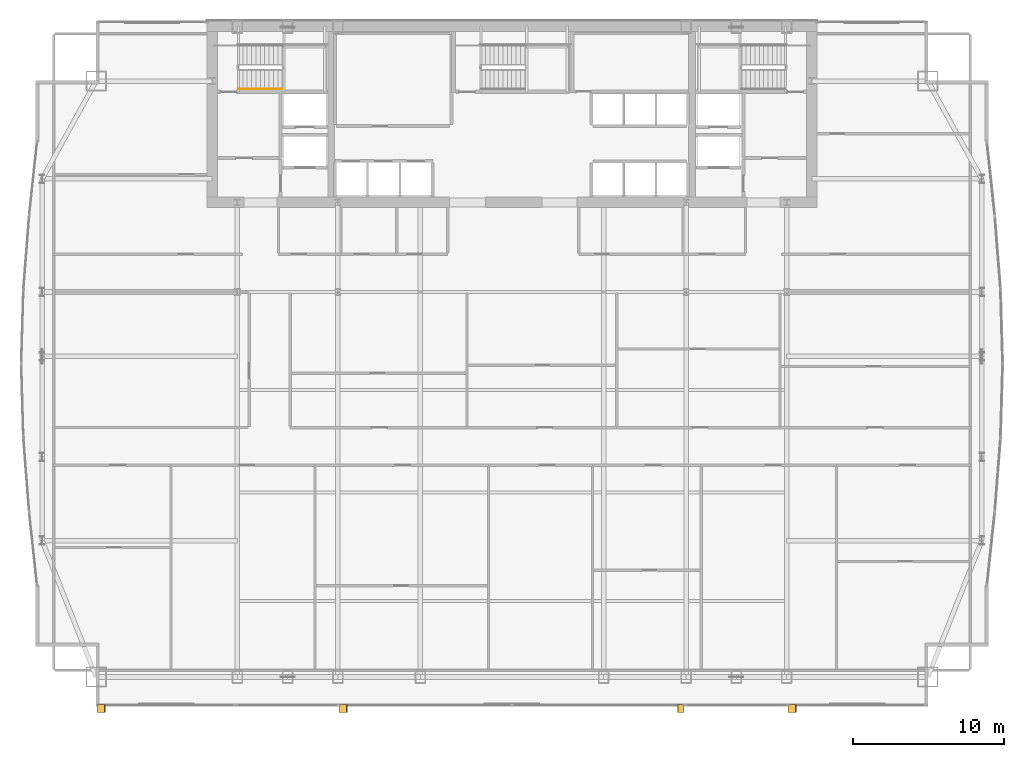
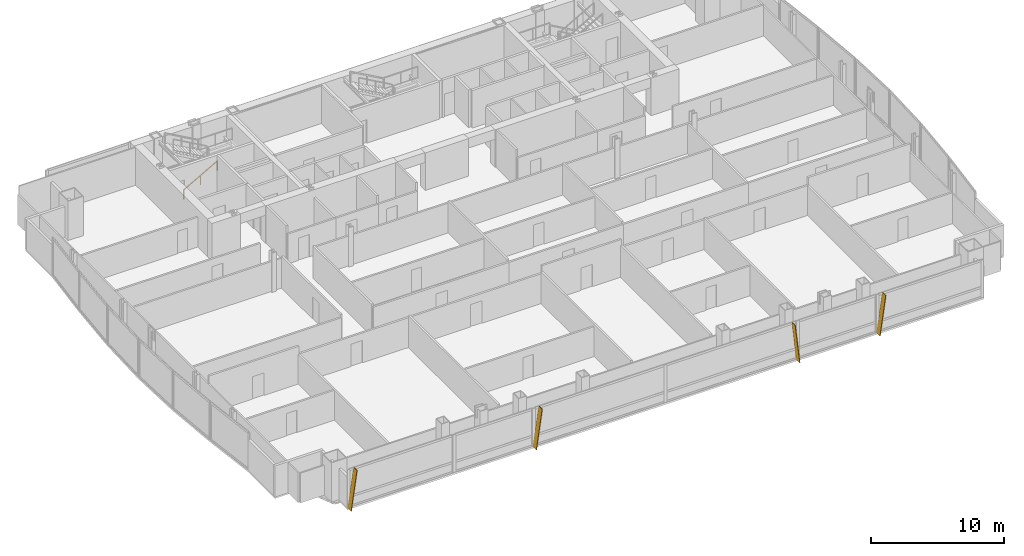
# One storey, part 28 of 29: 4 shading devices, 1 railing.
"""IFC4 building model written with IfcOpenShell, lengths in metres."""

from ifc_helpers import new_model, si_unit, direction, frame, origin, origin_2d, place, context, subcontext, project, spatial, polyline, rectangle, outline, extrude, material, layer, layer_set, type_object, element, save


model = new_model("IFC4")

# Units and contexts
model_context = context("Model", 3, precision=1e-05, world=origin(), true_north=direction((0.0, 1.0)))
body_context = subcontext(model_context, "Body", "Model", "MODEL_VIEW")
ifc_project = project(units=[si_unit("LENGTHUNIT", "METRE"), si_unit("AREAUNIT", "SQUARE_METRE"), si_unit("VOLUMEUNIT", "CUBIC_METRE"), si_unit("PLANEANGLEUNIT", "RADIAN"), si_unit("MASSUNIT", "GRAM", prefix="KILO")], contexts=[model_context])

# Site, building, storey
site_placement = place(None, origin())
site = spatial("IfcSite", under=ifc_project, at=site_placement, CompositionType="ELEMENT")
building_placement = place(site_placement, origin())
building = spatial("IfcBuilding", under=site, at=building_placement, Name="Khoronbel Lancet Exchange", CompositionType="ELEMENT")
storey_placement = place(building_placement, frame((0.0, 0.0, 143.39990234375)))
storey = spatial("IfcBuildingStorey", under=building, at=storey_placement, Name="L35", CompositionType="ELEMENT", Elevation=143.39990234375)

# Railing
ifc_material_1 = material(Name="Brushed Stainless Steel 316", Category="steel")
railing_type = type_object("IfcRailingType", Name="RL-STH92", PredefinedType="HANDRAIL", material=ifc_material_1)
railing_placement = place(storey_placement, frame((18.300048828125, 49.169921875, 0.163818359375)))
element("IfcRailing", 1, at=railing_placement, inside=storey, type_object=railing_type, Name="L35 ST1 stair handrail 1", PredefinedType="HANDRAIL", context=body_context, shape_type="SweptSolid", body=[
    extrude(rectangle(XDim=0.048095703125, YDim=0.048095703125, at=origin_2d()), frame((0.0, 0.0, 0.8759765625), z_axis=(0.870928581787, 0.0, 0.491409610636), x_axis=(0.0, 1.0, 0.0)), (0.0, 0.0, 1.0), 3.32958984375),
    extrude(rectangle(XDim=0.0419921875, YDim=0.0419921875, at=origin_2d()), origin(), (0.0, 0.0, 1.0), 0.851806640625),
    extrude(rectangle(XDim=0.0419921875, YDim=0.0419921875, at=origin_2d()), frame((1.449951171875, 0.0, 0.818115234375)), (0.0, 0.0, 1.0), 0.851806640625),
    extrude(rectangle(XDim=0.0419921875, YDim=0.0419921875, at=origin_2d()), frame((2.89990234375, 0.0, 1.63623046875)), (0.0, 0.0, 1.0), 0.851806640625),
])

# Shading devices
ifc_material_2 = material(Name="Bronze-Anodised Aluminium 6063-T6", Category="aluminium")
ifc_layer = layer(ifc_material_2, 0.054931640625, Name="Bronze-Anodised Aluminium 6063-T6")
ifc_layer_set = layer_set([ifc_layer], Name="Bronze-Anodised Aluminium 6063-T6")
shading_device_type = type_object("IfcShadingDeviceType", Name="SHD-FIN1", PredefinedType="USERDEFINED", material=ifc_layer_set)
for number, where, z_axis, x_axis, name in (
    (2, (8.91259765625, 8.31005859375, -0.079833984375), (-0.990091586433, 0.0, 0.14042311232), (0.0, -1.0, 0.0), "Slanted bronze solar fin CW-L35-SWV-0"),
    (3, (24.972412109375, 8.31005859375, -0.079833984375), (-0.990082143633, 0.0, 0.140489675274), (0.0, -1.0, 0.0), "Slanted bronze solar fin CW-L35-SCV-0"),
):
    element("IfcShadingDevice", number, at=place(storey_placement, frame(where, z_axis=z_axis, x_axis=x_axis)), inside=storey, type_object=shading_device_type, Name=name, ObjectType="FIN", PredefinedType="USERDEFINED", context=body_context, shape_type="SweptSolid", body=[
        extrude(outline(polyline([(0.0, 0.0), (0.52001953125, 0.0), (0.52001953125, 3.595458984375), (0.0, 3.595458984375), (0.0, 0.0)])), origin(), (0.0, 0.0, -1.0), 0.054931640625),
    ])
shading_device_1_placement = place(storey_placement, frame((47.87255859375, 8.31005859375, -0.079833984375), z_axis=(0.99389951861, 0.0, 0.110289378034), x_axis=(0.0, -1.0, 0.0)))
element("IfcShadingDevice", 4, at=shading_device_1_placement, inside=storey, type_object=shading_device_type, Name="Slanted bronze solar fin CW-L35-SCV-2", ObjectType="FIN", PredefinedType="USERDEFINED", context=body_context, shape_type="SweptSolid", body=[
    extrude(outline(polyline([(0.0, 0.0), (0.52001953125, 0.0), (0.52001953125, -3.58154296875), (0.0, -3.58154296875), (0.0, 0.0)])), origin(), (0.0, 0.0, -1.0), 0.054931640625),
])
shading_device_2_placement = place(storey_placement, frame((54.7724609375, 8.31005859375, -0.079833984375), z_axis=(-0.990082143633, 0.0, 0.140489675274), x_axis=(0.0, -1.0, 0.0)))
element("IfcShadingDevice", 5, at=shading_device_2_placement, inside=storey, type_object=shading_device_type, Name="Slanted bronze solar fin CW-L35-SEV-0", ObjectType="FIN", PredefinedType="USERDEFINED", context=body_context, shape_type="SweptSolid", body=[
    extrude(outline(polyline([(0.0, 0.0), (0.52001953125, 0.0), (0.52001953125, 3.595458984375), (0.0, 3.595458984375), (0.0, 0.0)])), origin(), (0.0, 0.0, -1.0), 0.054931640625),
])

save(model, "model.ifc")
